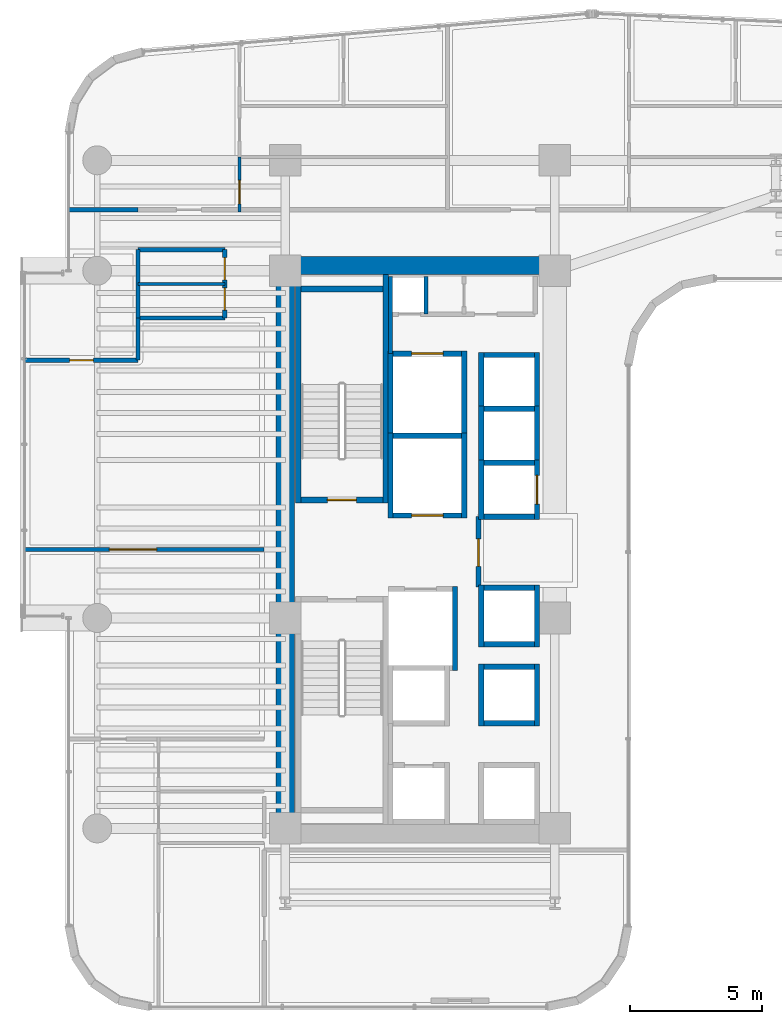
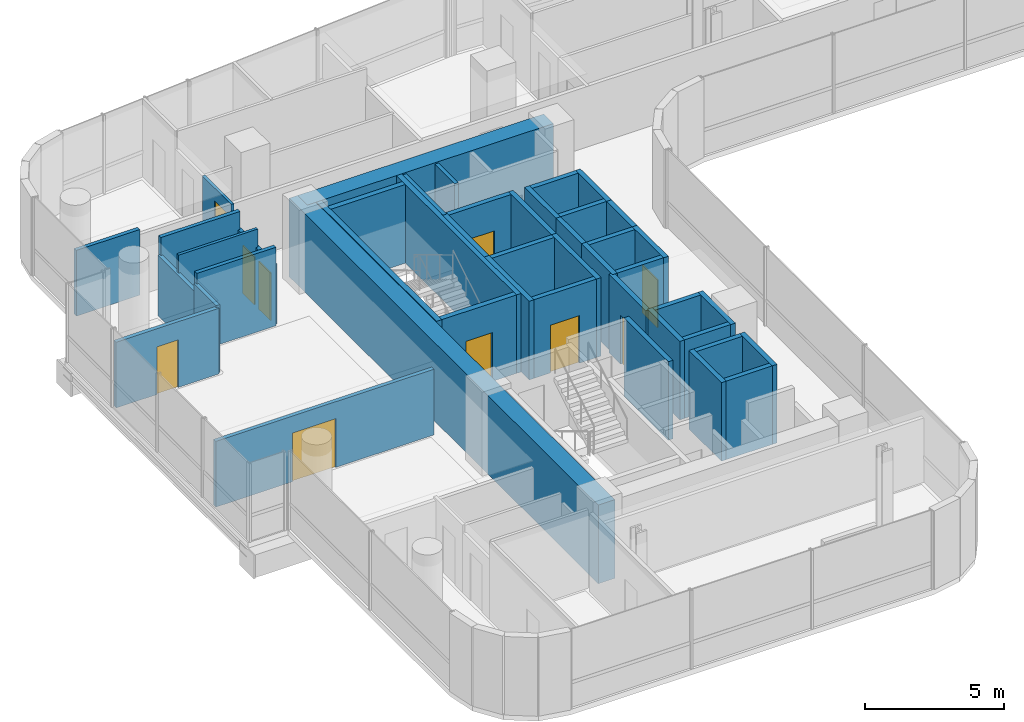
# One storey, part 27 of 35: 45 walls, 10 doors, 10 openings.
"""IFC4 building model written with IfcOpenShell, lengths in metres."""

from ifc_helpers import new_model, si_unit, direction, frame, frame_2d, origin, place, context, subcontext, project, spatial, rectangle, extrude, material, layer, layer_set, type_object, element, fill, save


model = new_model("IFC4")

# Units and contexts
model_context = context("Model", 3, precision=1e-05, world=origin(), true_north=direction((0.0, 1.0)))
body_context = subcontext(model_context, "Body", "Model", "MODEL_VIEW")
ifc_project = project(units=[si_unit("LENGTHUNIT", "METRE"), si_unit("AREAUNIT", "SQUARE_METRE"), si_unit("VOLUMEUNIT", "CUBIC_METRE"), si_unit("PLANEANGLEUNIT", "RADIAN"), si_unit("MASSUNIT", "GRAM", prefix="KILO")], contexts=[model_context])

# Site, building, storey
site_placement = place(None, origin())
site = spatial("IfcSite", under=ifc_project, at=site_placement, CompositionType="ELEMENT")
building_placement = place(site_placement, origin())
building = spatial("IfcBuilding", under=site, at=building_placement, Name="Valdorenza Pilgrim Sanctuary Tower", CompositionType="ELEMENT")
storey_placement = place(building_placement, frame((0.0, 0.0, 105.699951171875)))
storey = spatial("IfcBuildingStorey", under=building, at=storey_placement, Name="L26", CompositionType="ELEMENT", Elevation=105.699951171875)

# Walls
ifc_material_1 = material(Name="Acoustic twin-stud gypsum partition", Category="gypsum")
ifc_layer_1 = layer(ifc_material_1, 0.159912109375, Name="Acoustic twin-stud gypsum partition")
ifc_layer_set_1 = layer_set([ifc_layer_1], Name="Acoustic twin-stud gypsum partition")
wall_type_1 = type_object("IfcWallType", Name="WAL-COR-160", PredefinedType="PARTITIONING", material=ifc_layer_set_1)
wall_1_placement = place(storey_placement, frame((-18.64990234375, 7.449951171875, 0.0), z_axis=(0.0, 0.0, 1.0), x_axis=(0.0, 1.0, 0.0)))
element("IfcWall", 1, at=wall_1_placement, inside=storey, type_object=wall_type_1, Name="L26 Core A North Service West Wall", PredefinedType="PARTITIONING", context=body_context, shape_type="SweptSolid", body=[
    extrude(rectangle(XDim=2.929931640625, YDim=0.159912109375, at=frame_2d((1.46484375, 0.0))), origin(), (0.0, 0.0, 1.0), 3.4599609375),
])
wall_2_placement = place(storey_placement, frame((-17.300048828125, 8.949951171875, 0.0), z_axis=(0.0, 0.0, 1.0), x_axis=(0.0, 1.0, 0.0)))
element("IfcWall", 2, at=wall_2_placement, inside=storey, type_object=wall_type_1, Name="L26 Core Electrical Riser Wall", PredefinedType="PARTITIONING", context=body_context, shape_type="SweptSolid", body=[
    extrude(rectangle(XDim=1.429931640625, YDim=0.159912109375, at=frame_2d((0.71484375, 0.0))), origin(), (0.0, 0.0, 1.0), 3.4599609375),
])
wall_3_placement = place(storey_placement, frame((-28.25, 8.800048828125, 0.0), z_axis=(0.0, 0.0, 1.0), x_axis=(0.0, 1.0, 0.0)))
element("IfcWall", 3, at=wall_3_placement, inside=storey, type_object=wall_type_1, Name="L26 Washroom West Wall", PredefinedType="PARTITIONING", context=body_context, shape_type="SweptSolid", body=[
    extrude(rectangle(XDim=2.599853515625, YDim=0.159912109375, at=frame_2d((1.2998046875, 0.0))), origin(), (0.0, 0.0, 1.0), 2.666015625),
])

# Wall, openings, doors
wall_4_placement = place(storey_placement, frame((-24.949951171875, 8.800048828125, 0.0), z_axis=(0.0, 0.0, 1.0), x_axis=(0.0, 1.0, 0.0)))
wall_4 = element("IfcWall", 4, at=wall_4_placement, inside=storey, type_object=wall_type_1, Name="L26 Washroom East Wall", PredefinedType="PARTITIONING", context=body_context, shape_type="SweptSolid", body=[
    extrude(rectangle(XDim=2.599853515625, YDim=0.159912109375, at=frame_2d((1.2998046875, 0.0))), origin(), (0.0, 0.0, 1.0), 2.666015625),
])
opening_1_placement = place(wall_4_placement, frame((0.300048828125, 0.0, 0.0)))
opening_1 = element("IfcOpeningElement", 5, at=opening_1_placement, cuts=wall_4, Name="Opening DR-WC1", PredefinedType="OPENING", context=body_context, shape_type="SweptSolid", body=[
    extrude(rectangle(XDim=0.85009765625, YDim=2.10009765625, at=frame_2d((0.425048828125, 1.050048828125))), frame((0.0, 0.0947265625, 0.0), z_axis=(0.0, -1.0, 0.0), x_axis=(1.0, 0.0, 0.0)), (0.0, 0.0, 1.0), 0.189697265625),
])
opening_2_placement = place(wall_4_placement, frame((1.449951171875, 0.0, 0.0)))
opening_2 = element("IfcOpeningElement", 6, at=opening_2_placement, cuts=wall_4, Name="Opening DR-WC1", PredefinedType="OPENING", context=body_context, shape_type="SweptSolid", body=[
    extrude(rectangle(XDim=0.85009765625, YDim=2.10009765625, at=frame_2d((0.425048828125, 1.050048828125))), frame((0.0, 0.0947265625, 0.0), z_axis=(0.0, -1.0, 0.0), x_axis=(1.0, 0.0, 0.0)), (0.0, 0.0, 1.0), 0.189697265625),
])
ifc_material_2 = material(Name="Moisture-resistant lacquered timber", Category="wood")
door_type_1 = type_object("IfcDoorType", Name="DR-BATH-850", OperationType="NOTDEFINED", PredefinedType="DOOR", material=ifc_material_2)
door_1_placement = place(opening_1_placement, origin())
door_1 = element("IfcDoor", 7, at=door_1_placement, inside=storey, type_object=door_type_1, Name="L26 Accessible Washroom Door", OperationType="SINGLE_SWING_RIGHT", OverallHeight=2.10009765625, OverallWidth=0.85009765625, PredefinedType="DOOR", context=body_context, shape_type="SweptSolid", body=[
    extrude(rectangle(XDim=0.85009765625, YDim=2.10009765625, at=frame_2d((0.425048828125, 1.050048828125))), frame((0.0, 0.02490234375, 0.0), z_axis=(0.0, -1.0, 0.0), x_axis=(1.0, 0.0, 0.0)), (0.0, 0.0, 1.0), 0.050048828125),
])
fill(opening_1, door_1)
door_2_placement = place(opening_2_placement, origin())
door_2 = element("IfcDoor", 8, at=door_2_placement, inside=storey, type_object=door_type_1, Name="L26 Public Washroom Door", OperationType="SINGLE_SWING_LEFT", OverallHeight=2.10009765625, OverallWidth=0.85009765625, PredefinedType="DOOR", context=body_context, shape_type="SweptSolid", body=[
    extrude(rectangle(XDim=0.85009765625, YDim=2.10009765625, at=frame_2d((0.425048828125, 1.050048828125))), frame((0.0, 0.02490234375, 0.0), z_axis=(0.0, -1.0, 0.0), x_axis=(1.0, 0.0, 0.0)), (0.0, 0.0, 1.0), 0.050048828125),
])
fill(opening_2, door_2)

# Walls
for number, where, z_axis, x_axis, name in (
    (9, (-28.25, 8.800048828125, 0.0), (0.0, 0.0, 1.0), (1.0, 0.0, 0.0), "L26 Washroom South Wall"),
    (10, (-28.25, 11.39990234375, 0.0), (0.0, 0.0, 1.0), (1.0, 0.0, 0.0), "L26 Washroom North Wall"),
):
    element("IfcWall", number, at=place(storey_placement, frame(where, z_axis=z_axis, x_axis=x_axis)), inside=storey, type_object=wall_type_1, Name=name, PredefinedType="PARTITIONING", context=body_context, shape_type="SweptSolid", body=[
        extrude(rectangle(XDim=3.300048828125, YDim=0.159912109375, at=frame_2d((1.64990234375, 0.0))), origin(), (0.0, 0.0, 1.0), 3.4599609375),
    ])

# Wall, opening, door
wall_5_placement = place(storey_placement, frame((-32.5400390625, 7.199951171875, 0.0), z_axis=(0.0, 0.0, 1.0), x_axis=(1.0, 0.0, 0.0)))
wall_5 = element("IfcWall", 11, at=wall_5_placement, inside=storey, type_object=wall_type_1, Name="L26 Cloister North Room Wall", PredefinedType="PARTITIONING", context=body_context, shape_type="SweptSolid", body=[
    extrude(rectangle(XDim=4.2900390625, YDim=0.159912109375, at=frame_2d((2.14501953125, 0.0))), origin(), (0.0, 0.0, 1.0), 2.89599609375),
])
opening_3_placement = place(wall_5_placement, frame((1.695068359375, 0.0, 0.0)))
opening_3 = element("IfcOpeningElement", 12, at=opening_3_placement, cuts=wall_5, Name="Opening DR-RM1", PredefinedType="OPENING", context=body_context, shape_type="SweptSolid", body=[
    extrude(rectangle(XDim=0.89990234375, YDim=2.10009765625, at=frame_2d((0.449951171875, 1.050048828125))), frame((0.0, 0.0947265625, 0.0), z_axis=(0.0, -1.0, 0.0), x_axis=(1.0, 0.0, 0.0)), (0.0, 0.0, 1.0), 0.189697265625),
])
ifc_material_3 = material(Name="Solid-core European oak timber", Category="wood")
door_type_2 = type_object("IfcDoorType", Name="DR-ROOM-900", OperationType="NOTDEFINED", PredefinedType="DOOR", material=ifc_material_3)
door_3_placement = place(opening_3_placement, origin())
door_3 = element("IfcDoor", 13, at=door_3_placement, inside=storey, type_object=door_type_2, Name="L26 Pilgrim Scholar Office L26-1 Door", OperationType="SINGLE_SWING_RIGHT", OverallHeight=2.10009765625, OverallWidth=0.89990234375, PredefinedType="DOOR", context=body_context, shape_type="SweptSolid", body=[
    extrude(rectangle(XDim=0.89990234375, YDim=2.10009765625, at=frame_2d((0.449951171875, 1.050048828125))), frame((0.0, 0.02490234375, 0.0), z_axis=(0.0, -1.0, 0.0), x_axis=(1.0, 0.0, 0.0)), (0.0, 0.0, 1.0), 0.050048828125),
])
fill(opening_3, door_3)

# Wall
wall_6_placement = place(storey_placement, frame((-28.25, 7.199951171875, 0.0), z_axis=(0.0, 0.0, 1.0), x_axis=(0.0, 1.0, 0.0)))
element("IfcWall", 14, at=wall_6_placement, inside=storey, type_object=wall_type_1, Name="L26 Cloister NE Closure", PredefinedType="PARTITIONING", context=body_context, shape_type="SweptSolid", body=[
    extrude(rectangle(XDim=1.60009765625, YDim=0.159912109375, at=frame_2d((0.800048828125, 0.0))), origin(), (0.0, 0.0, 1.0), 2.988037109375),
])

# Wall, opening, door
wall_7_placement = place(storey_placement, frame((-32.5400390625, 0.0, 0.0), z_axis=(0.0, 0.0, 1.0), x_axis=(1.0, 0.0, 0.0)))
wall_7 = element("IfcWall", 15, at=wall_7_placement, inside=storey, type_object=wall_type_1, Name="L26 Cloister Mid Wall", PredefinedType="PARTITIONING", context=body_context, shape_type="SweptSolid", body=[
    extrude(rectangle(XDim=9.090087890625, YDim=0.159912109375, at=frame_2d((4.544921875, 0.0))), origin(), (0.0, 0.0, 1.0), 2.89599609375),
])
opening_4_placement = place(wall_7_placement, frame((3.199951171875, 0.0, 0.0)))
opening_4 = element("IfcOpeningElement", 16, at=opening_4_placement, cuts=wall_7, Name="Opening DR-HL1", PredefinedType="OPENING", context=body_context, shape_type="SweptSolid", body=[
    extrude(rectangle(XDim=1.800048828125, YDim=2.14990234375, at=frame_2d((0.89990234375, 1.074951171875))), frame((0.0, 0.0947265625, 0.0), z_axis=(0.0, -1.0, 0.0), x_axis=(1.0, 0.0, 0.0)), (0.0, 0.0, 1.0), 0.189697265625),
])
ifc_material_4 = material(Name="Acoustic oak and vision-glass double door", Category="glass")
door_type_3 = type_object("IfcDoorType", Name="DR-HALL-1800", OperationType="NOTDEFINED", PredefinedType="DOOR", material=ifc_material_4)
door_4_placement = place(opening_4_placement, frame((1.800048828125, 0.0, 0.0), z_axis=(0.0, 0.0, 1.0), x_axis=(-1.0, 0.0, 0.0)))
door_4 = element("IfcDoor", 17, at=door_4_placement, inside=storey, type_object=door_type_3, Name="L26 Cloister Mid Double Door", OperationType="DOUBLE_DOOR_SINGLE_SWING", OverallHeight=2.14990234375, OverallWidth=1.800048828125, PredefinedType="DOOR", context=body_context, shape_type="SweptSolid", body=[
    extrude(rectangle(XDim=1.800048828125, YDim=2.14990234375, at=frame_2d((0.89990234375, 1.074951171875))), frame((0.0, 0.02490234375, 0.0), z_axis=(0.0, -1.0, 0.0), x_axis=(1.0, 0.0, 0.0)), (0.0, 0.0, 1.0), 0.050048828125),
])
fill(opening_4, door_4)

# Walls
wall_8_placement = place(storey_placement, frame((-30.889892578125, 12.919921875, 0.0), z_axis=(0.0, 0.0, 1.0), x_axis=(1.0, 0.0, 0.0)))
element("IfcWall", 18, at=wall_8_placement, inside=storey, type_object=wall_type_1, Name="L26 Cloister North Solid Partition", PredefinedType="PARTITIONING", context=body_context, shape_type="SweptSolid", body=[
    extrude(rectangle(XDim=2.639892578125, YDim=0.159912109375, at=frame_2d((1.31982421875, 0.0))), origin(), (0.0, 0.0, 1.0), 2.89599609375),
])
ifc_material_5 = material(Name="Concrete C60/75", Category="concrete")
ifc_layer_2 = layer(ifc_material_5, 0.699951171875, Name="Concrete C60/75")
ifc_layer_set_2 = layer_set([ifc_layer_2], Name="Concrete C60/75")
wall_type_2 = type_object("IfcWallType", Name="WAL-COR-700", PredefinedType="SHEAR", material=ifc_layer_set_2)
wall_9_placement = place(storey_placement, frame((-22.64990234375, -11.14990234375, 0.0), z_axis=(0.0, 0.0, 1.0), x_axis=(0.0, 1.0, 0.0)))
element("IfcWall", 19, at=wall_9_placement, inside=storey, type_object=wall_type_2, Name="L26 Split Core A Shear Wall W", PredefinedType="SHEAR", context=body_context, shape_type="SweptSolid", body=[
    extrude(rectangle(XDim=22.2998046875, YDim=0.699951171875, at=frame_2d((11.14990234375, 0.0))), origin(), (0.0, 0.0, 1.0), 3.4599609375),
])
wall_10_placement = place(storey_placement, frame((-22.64990234375, 10.800048828125, 0.0), z_axis=(0.0, 0.0, 1.0), x_axis=(1.0, 0.0, 0.0)))
element("IfcWall", 20, at=wall_10_placement, inside=storey, type_object=wall_type_2, Name="L26 Split Core A Shear Wall N", PredefinedType="SHEAR", context=body_context, shape_type="SweptSolid", body=[
    extrude(rectangle(XDim=10.25, YDim=0.699951171875, at=frame_2d((5.125, 0.0))), origin(), (0.0, 0.0, 1.0), 3.4599609375),
])

# Wall, opening, door
ifc_material_6 = material(Name="Gypsum shaftwall partition", Category="gypsum")
ifc_layer_3 = layer(ifc_material_6, 0.199951171875, Name="Gypsum shaftwall partition")
ifc_layer_set_3 = layer_set([ifc_layer_3], Name="Gypsum shaftwall partition")
wall_type_3 = type_object("IfcWallType", Name="WAL-FFL-200", PredefinedType="PARTITIONING", material=ifc_layer_set_3)
wall_11_placement = place(storey_placement, frame((-15.300048828125, -1.419921875, 0.0), z_axis=(0.0, 0.0, 1.0), x_axis=(0.0, 1.0, 0.0)))
wall_11 = element("IfcWall", 21, at=wall_11_placement, inside=storey, type_object=wall_type_3, Name="L26 Core A Firefighting Lobby East Wall", PredefinedType="PARTITIONING", context=body_context, shape_type="SweptSolid", body=[
    extrude(rectangle(XDim=2.669921875, YDim=0.199951171875, at=frame_2d((1.3349609375, 0.0))), origin(), (0.0, 0.0, 1.0), 3.4599609375),
])
opening_5_placement = place(wall_11_placement, frame((0.780029296875, 0.0, 0.0)))
opening_5 = element("IfcOpeningElement", 22, at=opening_5_placement, cuts=wall_11, Name="Opening DR-FL1", PredefinedType="OPENING", context=body_context, shape_type="SweptSolid", body=[
    extrude(rectangle(XDim=1.050048828125, YDim=2.14990234375, at=frame_2d((0.52490234375, 1.074951171875))), frame((0.0, 0.11474609375, 0.0), z_axis=(0.0, -1.0, 0.0), x_axis=(1.0, 0.0, 0.0)), (0.0, 0.0, 1.0), 0.229736328125),
])
ifc_material_7 = material(Name="Painted galvanized steel", Category="steel")
door_type_4 = type_object("IfcDoorType", Name="DR-FFL-1050", OperationType="NOTDEFINED", PredefinedType="DOOR", material=ifc_material_7)
door_5_placement = place(opening_5_placement, origin())
door_5 = element("IfcDoor", 23, at=door_5_placement, inside=storey, type_object=door_type_4, Name="L26 Core A Firefighting Lobby Door", OperationType="SINGLE_SWING_RIGHT", OverallHeight=2.14990234375, OverallWidth=1.050048828125, PredefinedType="DOOR", context=body_context, shape_type="SweptSolid", body=[
    extrude(rectangle(XDim=1.050048828125, YDim=2.14990234375, at=frame_2d((0.52490234375, 1.074951171875))), frame((0.0, 0.02490234375, 0.0), z_axis=(0.0, -1.0, 0.0), x_axis=(1.0, 0.0, 0.0)), (0.0, 0.0, 1.0), 0.050048828125),
])
fill(opening_5, door_5)

# Wall
ifc_material_8 = material(Name="Moisture-resistant gypsum partition", Category="gypsum")
ifc_layer_4 = layer(ifc_material_8, 0.1201171875, Name="Moisture-resistant gypsum partition")
ifc_layer_set_4 = layer_set([ifc_layer_4], Name="Moisture-resistant gypsum partition")
wall_type_4 = type_object("IfcWallType", Name="WAL-INT-120", PredefinedType="PARTITIONING", material=ifc_layer_set_4)
wall_12_placement = place(storey_placement, frame((-28.25, 10.10009765625, 0.0), z_axis=(0.0, 0.0, 1.0), x_axis=(1.0, 0.0, 0.0)))
element("IfcWall", 24, at=wall_12_placement, inside=storey, type_object=wall_type_4, Name="L26 Washroom Divider Wall", PredefinedType="PARTITIONING", context=body_context, shape_type="SweptSolid", body=[
    extrude(rectangle(XDim=3.300048828125, YDim=0.1201171875, at=frame_2d((1.64990234375, 0.0))), origin(), (0.0, 0.0, 1.0), 3.4599609375),
])

# Wall, opening, door
wall_13_placement = place(storey_placement, frame((-24.38720703125, 12.840087890625, 0.0), z_axis=(0.0, 0.0, 1.0), x_axis=(0.0, 1.0, 0.0)))
wall_13 = element("IfcWall", 25, at=wall_13_placement, inside=storey, type_object=wall_type_4, Name="L26 North Family Flat L26-N1 Kitchen Door Wall", PredefinedType="PARTITIONING", context=body_context, shape_type="SweptSolid", body=[
    extrude(rectangle(XDim=2.079833984375, YDim=0.1201171875, at=frame_2d((1.0400390625, 0.0))), origin(), (0.0, 0.0, 1.0), 2.666015625),
])
opening_6_placement = place(wall_13_placement, frame((0.300048828125, 0.0, 0.0)))
opening_6 = element("IfcOpeningElement", 26, at=opening_6_placement, cuts=wall_13, Name="Opening DR-RM1", PredefinedType="OPENING", context=body_context, shape_type="SweptSolid", body=[
    extrude(rectangle(XDim=0.89990234375, YDim=2.10009765625, at=frame_2d((0.449951171875, 1.050048828125))), frame((0.0, 0.074951171875, 0.0), z_axis=(0.0, -1.0, 0.0), x_axis=(1.0, 0.0, 0.0)), (0.0, 0.0, 1.0), 0.14990234375),
])
door_6_placement = place(opening_6_placement, origin())
door_6 = element("IfcDoor", 27, at=door_6_placement, inside=storey, type_object=door_type_2, Name="L26 North Family Flat L26-N1 Kitchen Door", OperationType="SINGLE_SWING_LEFT", OverallHeight=2.10009765625, OverallWidth=0.89990234375, PredefinedType="DOOR", context=body_context, shape_type="SweptSolid", body=[
    extrude(rectangle(XDim=0.89990234375, YDim=2.10009765625, at=frame_2d((0.449951171875, 1.050048828125))), frame((0.0, 0.02490234375, 0.0), z_axis=(0.0, -1.0, 0.0), x_axis=(1.0, 0.0, 0.0)), (0.0, 0.0, 1.0), 0.050048828125),
])
fill(opening_6, door_6)

# Walls
ifc_material_9 = material(Name="Autoclaved aerated concrete blockwork", Category="masonry")
ifc_layer_5 = layer(ifc_material_9, 0.199951171875, Name="Autoclaved aerated concrete blockwork")
ifc_layer_set_5 = layer_set([ifc_layer_5], Name="Autoclaved aerated concrete blockwork")
wall_type_5 = type_object("IfcWallType", Name="WAL-SHF-200", PredefinedType="MOVABLE", material=ifc_layer_set_5)
for number, where, z_axis, x_axis, name in (
    (28, (-18.64990234375, 1.199951171875, 0.0), (0.0, 0.0, 1.0), (0.0, 1.0, 0.0), "L26 Lift FFL-01 Hoistway Wall West"),
    (29, (-15.85009765625, 1.199951171875, 0.0), (0.0, 0.0, 1.0), (0.0, 1.0, 0.0), "L26 Lift FFL-01 Hoistway Wall East"),
):
    element("IfcWall", number, at=place(storey_placement, frame(where, z_axis=z_axis, x_axis=x_axis)), inside=storey, type_object=wall_type_5, Name=name, PredefinedType="MOVABLE", context=body_context, shape_type="SweptSolid", body=[
        extrude(rectangle(XDim=3.22509765625, YDim=0.199951171875, at=frame_2d((1.612548828125, 0.0))), origin(), (0.0, 0.0, 1.0), 3.4599609375),
    ])

# Wall, opening, door
wall_14_placement = place(storey_placement, frame((-18.550048828125, 1.300048828125, 0.0), z_axis=(0.0, 0.0, 1.0), x_axis=(1.0, 0.0, 0.0)))
wall_14 = element("IfcWall", 30, at=wall_14_placement, inside=storey, type_object=wall_type_5, Name="L26 Lift FFL-01 Hoistway Wall South", PredefinedType="MOVABLE", context=body_context, shape_type="SweptSolid", body=[
    extrude(rectangle(XDim=2.60009765625, YDim=0.199951171875, at=frame_2d((1.300048828125, 0.0))), origin(), (0.0, 0.0, 1.0), 3.4599609375),
])
opening_7_placement = place(wall_14_placement, frame((0.699951171875, 0.0, 0.0)))
opening_7 = element("IfcOpeningElement", 31, at=opening_7_placement, cuts=wall_14, Name="Opening LD-02", PredefinedType="OPENING", context=body_context, shape_type="SweptSolid", body=[
    extrude(rectangle(XDim=1.199951171875, YDim=2.10009765625, at=frame_2d((0.60009765625, 1.050048828125))), frame((0.0, 0.11474609375, 0.0), z_axis=(0.0, -1.0, 0.0), x_axis=(1.0, 0.0, 0.0)), (0.0, 0.0, 1.0), 0.229736328125),
])
ifc_material_10 = material(Name="Brushed stainless steel Grade 316", Category="steel")
door_type_5 = type_object("IfcDoorType", Name="DR-LFT-1200", OperationType="DOUBLE_DOOR_SLIDING", PredefinedType="DOOR", material=ifc_material_10)
door_7_placement = place(opening_7_placement, origin())
door_7 = element("IfcDoor", 32, at=door_7_placement, inside=storey, type_object=door_type_5, Name="L26 Lift FFL-01 Sliding Landing Door", OperationType="DOUBLE_DOOR_SLIDING", OverallHeight=2.10009765625, OverallWidth=1.199951171875, PredefinedType="DOOR", context=body_context, shape_type="SweptSolid", body=[
    extrude(rectangle(XDim=1.199951171875, YDim=2.10009765625, at=frame_2d((0.60009765625, 1.050048828125))), frame((0.0, 0.02490234375, 0.0), z_axis=(0.0, -1.0, 0.0), x_axis=(1.0, 0.0, 0.0)), (0.0, 0.0, 1.0), 0.050048828125),
])
fill(opening_7, door_7)

# Walls
wall_15_placement = place(storey_placement, frame((-18.550048828125, 4.324951171875, 0.0), z_axis=(0.0, 0.0, 1.0), x_axis=(1.0, 0.0, 0.0)))
element("IfcWall", 33, at=wall_15_placement, inside=storey, type_object=wall_type_5, Name="L26 Lift FFL-01 Hoistway Wall North", PredefinedType="MOVABLE", context=body_context, shape_type="SweptSolid", body=[
    extrude(rectangle(XDim=2.60009765625, YDim=0.199951171875, at=frame_2d((1.300048828125, 0.0))), origin(), (0.0, 0.0, 1.0), 3.4599609375),
])
wall_16_placement = place(storey_placement, frame((-16.199951171875, -4.60009765625, 0.0), z_axis=(0.0, 0.0, 1.0), x_axis=(0.0, 1.0, 0.0)))
element("IfcWall", 34, at=wall_16_placement, inside=storey, type_object=wall_type_5, Name="L26 Lift FFL-02 Hoistway Wall East", PredefinedType="MOVABLE", context=body_context, shape_type="SweptSolid", body=[
    extrude(rectangle(XDim=3.2001953125, YDim=0.199951171875, at=frame_2d((1.60009765625, 0.0))), origin(), (0.0, 0.0, 1.0), 3.4599609375),
])
for number, where, z_axis, x_axis, name in (
    (35, (-18.64990234375, 4.22509765625, 0.0), (0.0, 0.0, 1.0), (0.0, 1.0, 0.0), "L26 Lift SVL-01 Hoistway Wall West"),
    (36, (-15.85009765625, 4.22509765625, 0.0), (0.0, 0.0, 1.0), (0.0, 1.0, 0.0), "L26 Lift SVL-01 Hoistway Wall East"),
):
    element("IfcWall", number, at=place(storey_placement, frame(where, z_axis=z_axis, x_axis=x_axis)), inside=storey, type_object=wall_type_5, Name=name, PredefinedType="MOVABLE", context=body_context, shape_type="SweptSolid", body=[
        extrude(rectangle(XDim=3.324951171875, YDim=0.199951171875, at=frame_2d((1.66259765625, 0.0))), origin(), (0.0, 0.0, 1.0), 3.4599609375),
    ])

# Wall, opening, door
wall_17_placement = place(storey_placement, frame((-18.550048828125, 7.449951171875, 0.0), z_axis=(0.0, 0.0, 1.0), x_axis=(1.0, 0.0, 0.0)))
wall_17 = element("IfcWall", 37, at=wall_17_placement, inside=storey, type_object=wall_type_5, Name="L26 Lift SVL-01 Hoistway Wall North", PredefinedType="MOVABLE", context=body_context, shape_type="SweptSolid", body=[
    extrude(rectangle(XDim=2.60009765625, YDim=0.199951171875, at=frame_2d((1.300048828125, 0.0))), origin(), (0.0, 0.0, 1.0), 3.4599609375),
])
opening_8_placement = place(wall_17_placement, frame((0.699951171875, 0.0, 0.0)))
opening_8 = element("IfcOpeningElement", 38, at=opening_8_placement, cuts=wall_17, Name="Opening LD-02", PredefinedType="OPENING", context=body_context, shape_type="SweptSolid", body=[
    extrude(rectangle(XDim=1.199951171875, YDim=2.10009765625, at=frame_2d((0.60009765625, 1.050048828125))), frame((0.0, 0.11474609375, 0.0), z_axis=(0.0, -1.0, 0.0), x_axis=(1.0, 0.0, 0.0)), (0.0, 0.0, 1.0), 0.229736328125),
])
door_8_placement = place(opening_8_placement, origin())
door_8 = element("IfcDoor", 39, at=door_8_placement, inside=storey, type_object=door_type_5, Name="L26 Lift SVL-01 Sliding Landing Door", OperationType="DOUBLE_DOOR_SLIDING", OverallHeight=2.10009765625, OverallWidth=1.199951171875, PredefinedType="DOOR", context=body_context, shape_type="SweptSolid", body=[
    extrude(rectangle(XDim=1.199951171875, YDim=2.10009765625, at=frame_2d((0.60009765625, 1.050048828125))), frame((0.0, 0.02490234375, 0.0), z_axis=(0.0, -1.0, 0.0), x_axis=(1.0, 0.0, 0.0)), (0.0, 0.0, 1.0), 0.050048828125),
])
fill(opening_8, door_8)

# Walls
for number, where, z_axis, x_axis, name in (
    (40, (-15.199951171875, -6.699951171875, 0.0), (0.0, 0.0, 1.0), (0.0, 1.0, 0.0), "L26 Lift PL-02 Hoistway Wall West"),
    (41, (-13.080078125, -6.699951171875, 0.0), (0.0, 0.0, 1.0), (0.0, 1.0, 0.0), "L26 Lift PL-02 Hoistway Wall East"),
):
    element("IfcWall", number, at=place(storey_placement, frame(where, z_axis=z_axis, x_axis=x_axis)), inside=storey, type_object=wall_type_5, Name=name, PredefinedType="MOVABLE", context=body_context, shape_type="SweptSolid", body=[
        extrude(rectangle(XDim=2.349853515625, YDim=0.199951171875, at=frame_2d((1.1748046875, 0.0))), origin(), (0.0, 0.0, 1.0), 3.4599609375),
    ])
for number, where, z_axis, x_axis, name in (
    (42, (-15.10009765625, -6.60009765625, 0.0), (0.0, 0.0, 1.0), (1.0, 0.0, 0.0), "L26 Lift PL-02 Hoistway Wall South"),
    (43, (-15.10009765625, -4.449951171875, 0.0), (0.0, 0.0, 1.0), (1.0, 0.0, 0.0), "L26 Lift PL-02 Hoistway Wall North"),
):
    element("IfcWall", number, at=place(storey_placement, frame(where, z_axis=z_axis, x_axis=x_axis)), inside=storey, type_object=wall_type_5, Name=name, PredefinedType="MOVABLE", context=body_context, shape_type="SweptSolid", body=[
        extrude(rectangle(XDim=1.920166015625, YDim=0.199951171875, at=frame_2d((0.9599609375, 0.0))), origin(), (0.0, 0.0, 1.0), 3.4599609375),
    ])
wall_18_placement = place(storey_placement, frame((-15.199951171875, 1.14990234375, 0.0), z_axis=(0.0, 0.0, 1.0), x_axis=(0.0, 1.0, 0.0)))
element("IfcWall", 44, at=wall_18_placement, inside=storey, type_object=wall_type_5, Name="L26 Lift PL-06 Hoistway Wall West", PredefinedType="MOVABLE", context=body_context, shape_type="SweptSolid", body=[
    extrude(rectangle(XDim=2.25, YDim=0.199951171875, at=frame_2d((1.125, 0.0))), origin(), (0.0, 0.0, 1.0), 3.4599609375),
])

# Wall, opening, door
wall_19_placement = place(storey_placement, frame((-13.080078125, 1.14990234375, 0.0), z_axis=(0.0, 0.0, 1.0), x_axis=(0.0, 1.0, 0.0)))
wall_19 = element("IfcWall", 45, at=wall_19_placement, inside=storey, type_object=wall_type_5, Name="L26 Lift PL-06 Hoistway Wall East", PredefinedType="MOVABLE", context=body_context, shape_type="SweptSolid", body=[
    extrude(rectangle(XDim=2.25, YDim=0.199951171875, at=frame_2d((1.125, 0.0))), origin(), (0.0, 0.0, 1.0), 3.4599609375),
])
opening_9_placement = place(wall_19_placement, frame((0.574951171875, 0.0, 0.0)))
opening_9 = element("IfcOpeningElement", 46, at=opening_9_placement, cuts=wall_19, Name="Opening LD-01", PredefinedType="OPENING", context=body_context, shape_type="SweptSolid", body=[
    extrude(rectangle(XDim=1.10009765625, YDim=2.10009765625, at=frame_2d((0.550048828125, 1.050048828125))), frame((0.0, 0.11474609375, 0.0), z_axis=(0.0, -1.0, 0.0), x_axis=(1.0, 0.0, 0.0)), (0.0, 0.0, 1.0), 0.229736328125),
])
door_type_6 = type_object("IfcDoorType", Name="DR-LFT-1100", OperationType="DOUBLE_DOOR_SLIDING", PredefinedType="DOOR", material=ifc_material_10)
door_9_placement = place(opening_9_placement, origin())
door_9 = element("IfcDoor", 47, at=door_9_placement, inside=storey, type_object=door_type_6, Name="L26 Lift PL-06 Sliding Landing Door", OperationType="DOUBLE_DOOR_SLIDING", OverallHeight=2.10009765625, OverallWidth=1.10009765625, PredefinedType="DOOR", context=body_context, shape_type="SweptSolid", body=[
    extrude(rectangle(XDim=1.10009765625, YDim=2.10009765625, at=frame_2d((0.550048828125, 1.050048828125))), frame((0.0, 0.02490234375, 0.0), z_axis=(0.0, -1.0, 0.0), x_axis=(1.0, 0.0, 0.0)), (0.0, 0.0, 1.0), 0.050048828125),
])
fill(opening_9, door_9)

# Walls
wall_20_placement = place(storey_placement, frame((-15.10009765625, 1.25, 0.0), z_axis=(0.0, 0.0, 1.0), x_axis=(1.0, 0.0, 0.0)))
element("IfcWall", 48, at=wall_20_placement, inside=storey, type_object=wall_type_5, Name="L26 Lift PL-06 Hoistway Wall South", PredefinedType="MOVABLE", context=body_context, shape_type="SweptSolid", body=[
    extrude(rectangle(XDim=1.920166015625, YDim=0.199951171875, at=frame_2d((0.9599609375, 0.0))), origin(), (0.0, 0.0, 1.0), 3.4599609375),
])
for number, where, z_axis, x_axis, name in (
    (49, (-15.199951171875, 3.199951171875, 0.0), (0.0, 0.0, 1.0), (0.0, 1.0, 0.0), "L26 Lift PL-09 Hoistway Wall West"),
    (50, (-13.080078125, 3.199951171875, 0.0), (0.0, 0.0, 1.0), (0.0, 1.0, 0.0), "L26 Lift PL-09 Hoistway Wall East"),
):
    element("IfcWall", number, at=place(storey_placement, frame(where, z_axis=z_axis, x_axis=x_axis)), inside=storey, type_object=wall_type_5, Name=name, PredefinedType="MOVABLE", context=body_context, shape_type="SweptSolid", body=[
        extrude(rectangle(XDim=2.25, YDim=0.199951171875, at=frame_2d((1.125, 0.0))), origin(), (0.0, 0.0, 1.0), 3.4599609375),
    ])
for number, where, z_axis, x_axis, name in (
    (51, (-15.10009765625, 3.300048828125, 0.0), (0.0, 0.0, 1.0), (1.0, 0.0, 0.0), "L26 Lift PL-09 Hoistway Wall South"),
    (52, (-15.10009765625, 5.35009765625, 0.0), (0.0, 0.0, 1.0), (1.0, 0.0, 0.0), "L26 Lift PL-09 Hoistway Wall North"),
):
    element("IfcWall", number, at=place(storey_placement, frame(where, z_axis=z_axis, x_axis=x_axis)), inside=storey, type_object=wall_type_5, Name=name, PredefinedType="MOVABLE", context=body_context, shape_type="SweptSolid", body=[
        extrude(rectangle(XDim=1.920166015625, YDim=0.199951171875, at=frame_2d((0.9599609375, 0.0))), origin(), (0.0, 0.0, 1.0), 3.4599609375),
    ])
for number, where, z_axis, x_axis, name in (
    (53, (-15.199951171875, 5.25, 0.0), (0.0, 0.0, 1.0), (0.0, 1.0, 0.0), "L26 Lift PL-10 Hoistway Wall West"),
    (54, (-13.080078125, 5.25, 0.0), (0.0, 0.0, 1.0), (0.0, 1.0, 0.0), "L26 Lift PL-10 Hoistway Wall East"),
):
    element("IfcWall", number, at=place(storey_placement, frame(where, z_axis=z_axis, x_axis=x_axis)), inside=storey, type_object=wall_type_5, Name=name, PredefinedType="MOVABLE", context=body_context, shape_type="SweptSolid", body=[
        extrude(rectangle(XDim=2.25, YDim=0.199951171875, at=frame_2d((1.125, 0.0))), origin(), (0.0, 0.0, 1.0), 3.4599609375),
    ])
wall_21_placement = place(storey_placement, frame((-15.10009765625, 7.39990234375, 0.0), z_axis=(0.0, 0.0, 1.0), x_axis=(1.0, 0.0, 0.0)))
element("IfcWall", 55, at=wall_21_placement, inside=storey, type_object=wall_type_5, Name="L26 Lift PL-10 Hoistway Wall North", PredefinedType="MOVABLE", context=body_context, shape_type="SweptSolid", body=[
    extrude(rectangle(XDim=1.920166015625, YDim=0.199951171875, at=frame_2d((0.9599609375, 0.0))), origin(), (0.0, 0.0, 1.0), 3.4599609375),
])
for number, where, z_axis, x_axis, name in (
    (56, (-15.199951171875, -3.699951171875, 0.0), (0.0, 0.0, 1.0), (0.0, 1.0, 0.0), "L26 Lift PL-12 Hoistway Wall West"),
    (57, (-13.080078125, -3.699951171875, 0.0), (0.0, 0.0, 1.0), (0.0, 1.0, 0.0), "L26 Lift PL-12 Hoistway Wall East"),
):
    element("IfcWall", number, at=place(storey_placement, frame(where, z_axis=z_axis, x_axis=x_axis)), inside=storey, type_object=wall_type_5, Name=name, PredefinedType="MOVABLE", context=body_context, shape_type="SweptSolid", body=[
        extrude(rectangle(XDim=2.349853515625, YDim=0.199951171875, at=frame_2d((1.1748046875, 0.0))), origin(), (0.0, 0.0, 1.0), 3.4599609375),
    ])
for number, where, z_axis, x_axis, name in (
    (58, (-15.10009765625, -3.60009765625, 0.0), (0.0, 0.0, 1.0), (1.0, 0.0, 0.0), "L26 Lift PL-12 Hoistway Wall South"),
    (59, (-15.10009765625, -1.449951171875, 0.0), (0.0, 0.0, 1.0), (1.0, 0.0, 0.0), "L26 Lift PL-12 Hoistway Wall North"),
):
    element("IfcWall", number, at=place(storey_placement, frame(where, z_axis=z_axis, x_axis=x_axis)), inside=storey, type_object=wall_type_5, Name=name, PredefinedType="MOVABLE", context=body_context, shape_type="SweptSolid", body=[
        extrude(rectangle(XDim=1.920166015625, YDim=0.199951171875, at=frame_2d((0.9599609375, 0.0))), origin(), (0.0, 0.0, 1.0), 3.4599609375),
    ])
ifc_material_11 = material(Name="Concrete C40/50", Category="concrete")
ifc_layer_6 = layer(ifc_material_11, 0.219970703125, Name="Concrete C40/50")
ifc_layer_set_6 = layer_set([ifc_layer_6], Name="Concrete C40/50")
wall_type_6 = type_object("IfcWallType", Name="WAL-STR-SHF-220", PredefinedType="SHEAR", material=ifc_layer_set_6)
for number, where, z_axis, x_axis, name in (
    (60, (-22.159912109375, 1.780029296875, 0.0), (0.0, 0.0, 1.0), (0.0, 1.0, 0.0), "L26 ST-A1 Structural Stairwell Wall W"),
    (61, (-18.830078125, 1.780029296875, 0.0), (0.0, 0.0, 1.0), (0.0, 1.0, 0.0), "L26 ST-A1 Structural Stairwell Wall E"),
):
    element("IfcWall", number, at=place(storey_placement, frame(where, z_axis=z_axis, x_axis=x_axis)), inside=storey, type_object=wall_type_6, Name=name, PredefinedType="SHEAR", context=body_context, shape_type="SweptSolid", body=[
        extrude(rectangle(XDim=8.669921875, YDim=0.219970703125, at=frame_2d((4.3349609375, 0.0))), origin(), (0.0, 0.0, 1.0), 3.4599609375),
    ])

# Wall, opening, door
wall_22_placement = place(storey_placement, frame((-22.050048828125, 1.889892578125, 0.0), z_axis=(0.0, 0.0, 1.0), x_axis=(1.0, 0.0, 0.0)))
wall_22 = element("IfcWall", 62, at=wall_22_placement, inside=storey, type_object=wall_type_6, Name="L26 ST-A1 Structural Stairwell Wall S", PredefinedType="SHEAR", context=body_context, shape_type="SweptSolid", body=[
    extrude(rectangle(XDim=3.110107421875, YDim=0.219970703125, at=frame_2d((1.55517578125, 0.0))), origin(), (0.0, 0.0, 1.0), 3.4599609375),
])
opening_10_placement = place(wall_22_placement, frame((1.0, 0.0, 0.0)))
opening_10 = element("IfcOpeningElement", 63, at=opening_10_placement, cuts=wall_22, Name="Opening DR-ST1", PredefinedType="OPENING", context=body_context, shape_type="SweptSolid", body=[
    extrude(rectangle(XDim=1.10009765625, YDim=2.14990234375, at=frame_2d((0.550048828125, 1.074951171875))), frame((0.0, 0.125, 0.0), z_axis=(0.0, -1.0, 0.0), x_axis=(1.0, 0.0, 0.0)), (0.0, 0.0, 1.0), 0.249755859375),
])
door_type_7 = type_object("IfcDoorType", Name="DR-STAIR-1100", OperationType="NOTDEFINED", PredefinedType="DOOR", material=ifc_material_7)
door_10_placement = place(opening_10_placement, frame((1.10009765625, 0.0, 0.0), z_axis=(0.0, 0.0, 1.0), x_axis=(-1.0, 0.0, 0.0)))
door_10 = element("IfcDoor", 64, at=door_10_placement, inside=storey, type_object=door_type_7, Name="L26 Exit Stair ST-A1 Door", OperationType="SINGLE_SWING_LEFT", OverallHeight=2.14990234375, OverallWidth=1.10009765625, PredefinedType="DOOR", context=body_context, shape_type="SweptSolid", body=[
    extrude(rectangle(XDim=1.10009765625, YDim=2.14990234375, at=frame_2d((0.550048828125, 1.074951171875))), frame((0.0, 0.02490234375, 0.0), z_axis=(0.0, -1.0, 0.0), x_axis=(1.0, 0.0, 0.0)), (0.0, 0.0, 1.0), 0.050048828125),
])
fill(opening_10, door_10)

# Wall
wall_23_placement = place(storey_placement, frame((-22.050048828125, 9.909912109375, 0.0), z_axis=(0.0, 0.0, 1.0), x_axis=(1.0, 0.0, 0.0)))
element("IfcWall", 65, at=wall_23_placement, inside=storey, type_object=wall_type_6, Name="L26 ST-A1 Structural Stairwell Wall N", PredefinedType="SHEAR", context=body_context, shape_type="SweptSolid", body=[
    extrude(rectangle(XDim=3.110107421875, YDim=0.219970703125, at=frame_2d((1.55517578125, 0.0))), origin(), (0.0, 0.0, 1.0), 3.4599609375),
])

save(model, "model.ifc")
